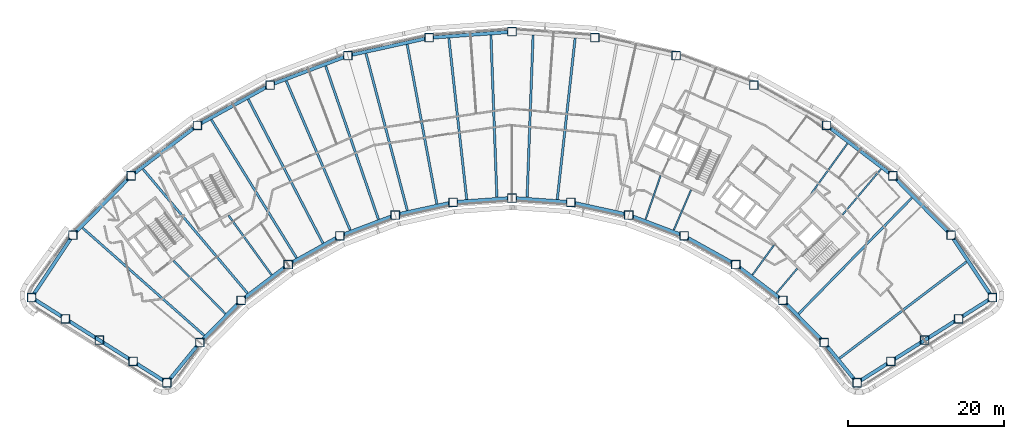
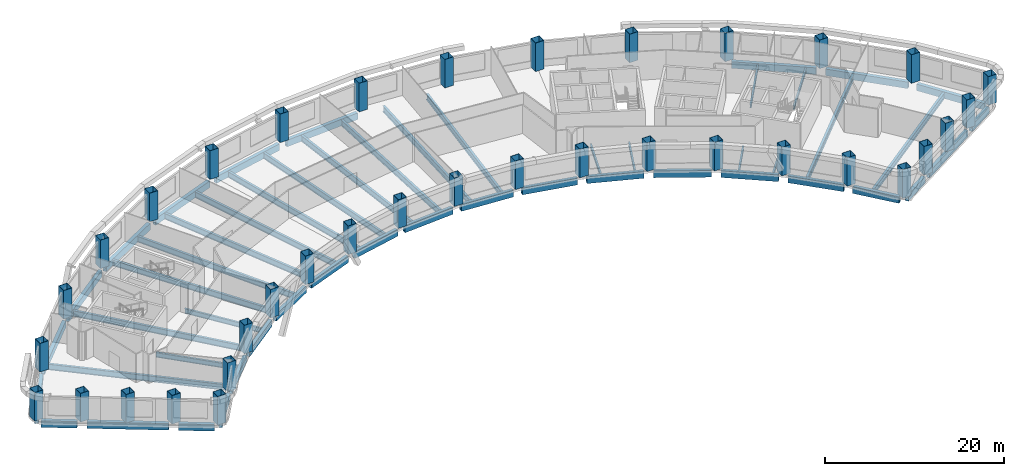
# One storey, part 1 of 13: 52 beams, 36 columns.
"""IFC4 building model written with IfcOpenShell, lengths in metres."""

from ifc_helpers import new_model, si_unit, direction, frame, origin, origin_2d, place, context, subcontext, project, spatial, hollow_rectangle, i_section, extrude, material, material_profile, profile_set, type_object, element, save


model = new_model("IFC4")

# Units and contexts
model_context = context("Model", 3, precision=1e-05, world=origin(), true_north=direction((0.0, 1.0)))
body_context = subcontext(model_context, "Body", "Model", "MODEL_VIEW")
ifc_project = project(units=[si_unit("LENGTHUNIT", "METRE"), si_unit("AREAUNIT", "SQUARE_METRE"), si_unit("VOLUMEUNIT", "CUBIC_METRE"), si_unit("PLANEANGLEUNIT", "RADIAN"), si_unit("MASSUNIT", "GRAM", prefix="KILO")], contexts=[model_context])

# Site, building, storey
site_placement = place(None, origin())
site = spatial("IfcSite", under=ifc_project, at=site_placement, CompositionType="ELEMENT")
building_placement = place(site_placement, origin())
building = spatial("IfcBuilding", under=site, at=building_placement, Name="Tuul Gate Civic Tower", CompositionType="ELEMENT")
storey_placement = place(building_placement, frame((0.0, 0.0, 111.89990234375)))
storey = spatial("IfcBuildingStorey", under=building, at=storey_placement, Name="Level 25", CompositionType="ELEMENT", Elevation=111.89990234375)

# Columns
ifc_material_1 = material(Name="Steel S355", Category="steel")
ifc_material_profile_1 = material_profile(ifc_material_1, hollow_rectangle(XDim=1.10009765625, YDim=1.10009765625, WallThickness=0.035888671875, at=origin_2d()), Name="BOX1100x1100x36")
ifc_profile_set_1 = profile_set([ifc_material_profile_1], Name="Steel S355")
column_type = type_object("IfcColumnType", Name="STR-COLUMN-BOX1100x1100x36", PredefinedType="COLUMN", material=ifc_profile_set_1)
for number, where, z_axis, x_axis, name in (
    (1, (71.5, -20.44189453125, 0.0), (0.0, 0.0, 1.0), (1.0, 0.0, 0.0), "Column"),
    (2, (66.200927734375, -12.428955078125, 0.0), (0.0, 0.0, 1.0), (1.0, 0.0, 0.0), "Column"),
    (3, (58.72607421875, -4.803955078125, 0.0), (0.0, 0.0, 1.0), (1.0, 0.0, 0.0), "Column"),
    (4, (50.23095703125, 1.6640625, 0.0), (0.0, 0.0, 1.0), (1.0, 0.0, 0.0), "Column"),
    (5, (40.89306640625, 6.840087890625, 0.0), (0.0, 0.0, 1.0), (1.0, 0.0, 0.0), "Column"),
    (6, (30.905029296875, 10.616943359375, 0.0), (0.0, 0.0, 1.0), (1.0, 0.0, 0.0), "Column"),
    (7, (20.47802734375, 12.9150390625, 0.0), (0.0, 0.0, 1.0), (1.0, 0.0, 0.0), "Column"),
    (8, (9.8291015625, 13.68603515625, 0.0), (0.0, 0.0, 1.0), (1.0, 0.0, 0.0), "Column"),
    (9, (-0.821044921875, 12.9150390625, 0.0), (0.0, 0.0, 1.0), (1.0, 0.0, 0.0), "Column"),
    (10, (-11.248046875, 10.616943359375, 0.0), (0.0, 0.0, 1.0), (1.0, 0.0, 0.0), "Column"),
    (11, (-21.235107421875, 6.840087890625, 0.0), (0.0, 0.0, 1.0), (1.0, 0.0, 0.0), "Column"),
    (12, (-30.573974609375, 1.6640625, 0.0), (0.0, 0.0, 1.0), (1.0, 0.0, 0.0), "Column"),
    (13, (-39.069091796875, -4.803955078125, 0.0), (0.0, 0.0, 1.0), (1.0, 0.0, 0.0), "Column"),
    (14, (-46.54296875, -12.428955078125, 0.0), (0.0, 0.0, 1.0), (1.0, 0.0, 0.0), "Column"),
    (15, (-51.842041015625, -20.44189453125, 0.0), (0.0, 0.0, 1.0), (1.0, 0.0, 0.0), "Column"),
    (16, (-47.5, -23.176025390625, 0.0), (0.0, 0.0, 1.0), (1.0, 0.0, 0.0), "Column"),
    (17, (-43.156982421875, -25.910888671875, 0.0), (0.0, 0.0, 1.0), (1.0, 0.0, 0.0), "Column"),
    (18, (-38.81494140625, -28.64599609375, 0.0), (0.0, 0.0, 1.0), (1.0, 0.0, 0.0), "Column"),
    (19, (-34.471923828125, -31.3798828125, 0.0), (0.0, 0.0, 1.0), (1.0, 0.0, 0.0), "Column"),
    (20, (-30.251953125, -26.238037109375, 0.0), (0.0, 0.0, 1.0), (1.0, 0.0, 0.0), "Column"),
    (21, (-24.93798828125, -20.81689453125, 0.0), (0.0, 0.0, 1.0), (1.0, 0.0, 0.0), "Column"),
    (22, (-18.89794921875, -16.218017578125, 0.0), (0.0, 0.0, 1.0), (1.0, 0.0, 0.0), "Column"),
    (23, (-12.258056640625, -12.537109375, 0.0), (0.0, 0.0, 1.0), (1.0, 0.0, 0.0), "Column"),
    (24, (-5.156982421875, -9.85205078125, 0.0), (0.0, 0.0, 1.0), (1.0, 0.0, 0.0), "Column"),
    (25, (2.257080078125, -8.218017578125, 0.0), (0.0, 0.0, 1.0), (1.0, 0.0, 0.0), "Column"),
    (26, (9.8291015625, -7.6689453125, 0.0), (0.0, 0.0, 1.0), (1.0, 0.0, 0.0), "Column"),
    (27, (17.40087890625, -8.218017578125, 0.0), (0.0, 0.0, 1.0), (1.0, 0.0, 0.0), "Column"),
    (28, (24.81494140625, -9.85205078125, 0.0), (0.0, 0.0, 1.0), (1.0, 0.0, 0.0), "Column"),
    (29, (31.9150390625, -12.537109375, 0.0), (0.0, 0.0, 1.0), (1.0, 0.0, 0.0), "Column"),
    (30, (38.554931640625, -16.218017578125, 0.0), (0.0, 0.0, 1.0), (1.0, 0.0, 0.0), "Column"),
    (31, (44.595947265625, -20.81689453125, 0.0), (0.0, 0.0, 1.0), (1.0, 0.0, 0.0), "Column"),
    (32, (49.909912109375, -26.238037109375, 0.0), (0.0, 0.0, 1.0), (1.0, 0.0, 0.0), "Column"),
    (33, (54.1298828125, -31.3798828125, 0.0), (0.0, 0.0, 1.0), (1.0, 0.0, 0.0), "Column"),
    (34, (58.471923828125, -28.64599609375, 0.0), (0.0, 0.0, 1.0), (1.0, 0.0, 0.0), "Column"),
    (35, (62.81494140625, -25.910888671875, 0.0), (0.0, 0.0, 1.0), (1.0, 0.0, 0.0), "Column"),
    (36, (67.156982421875, -23.176025390625, 0.0), (0.0, 0.0, 1.0), (1.0, 0.0, 0.0), "Column"),
):
    element("IfcColumn", number, at=place(storey_placement, frame(where, z_axis=z_axis, x_axis=x_axis)), inside=storey, type_object=column_type, Name=name, PredefinedType="COLUMN", context=body_context, shape_type="SweptSolid", body=[
        extrude(hollow_rectangle(XDim=1.10009765625, YDim=1.10009765625, WallThickness=0.035888671875, at=origin_2d()), origin(), (0.0, 0.0, 1.0), 3.900146484375),
    ])

# Beams
ifc_material_2 = material(Name="Steel S355", Category="steel")
ifc_material_profile_2 = material_profile(ifc_material_2, i_section(OverallWidth=0.199951171875, OverallDepth=0.5, WebThickness=0.010009765625, FlangeThickness=0.01611328125, at=origin_2d()), Name="PG500x200x10x16")
ifc_profile_set_2 = profile_set([ifc_material_profile_2], Name="Steel S355")
beam_type_1 = type_object("IfcBeamType", Name="STR-FLOOR BEAM-PG500x200x10x16", PredefinedType="BEAM", material=ifc_profile_set_2)
beam_1_placement = place(storey_placement, frame((43.78662109375, -19.88671875, -0.5498046875), z_axis=(0.644164873832, 0.764886668286, 0.0), x_axis=(-0.764886668286, 0.644164873832, 0.0)))
element("IfcBeam", 37, at=beam_1_placement, inside=storey, type_object=beam_type_1, Name="Floor beam", PredefinedType="BEAM", context=body_context, shape_type="SweptSolid", body=[
    extrude(i_section(OverallWidth=0.199951171875, OverallDepth=0.5, WebThickness=0.010009765625, FlangeThickness=0.01611328125, at=origin_2d()), origin(), (0.0, 0.0, 1.0), 4.129638671875),
])
beam_2_placement = place(storey_placement, frame((52.270263671875, -9.812255859375, -0.5498046875), z_axis=(0.644131817174, 0.764914506402, 0.0), x_axis=(-0.764914506402, 0.644131817174, 0.0)))
element("IfcBeam", 38, at=beam_2_placement, inside=storey, type_object=beam_type_1, Name="Floor beam", PredefinedType="BEAM", context=body_context, shape_type="SweptSolid", body=[
    extrude(i_section(OverallWidth=0.199951171875, OverallDepth=0.5, WebThickness=0.010009765625, FlangeThickness=0.01611328125, at=origin_2d()), origin(), (0.0, 0.0, 1.0), 7.65478515625),
])
beam_3_placement = place(storey_placement, frame((40.6982421875, -17.535400390625, -0.5498046875), z_axis=(0.586092436702, 0.810244195068, 0.0), x_axis=(-0.810244195068, 0.586092436702, 0.0)))
element("IfcBeam", 39, at=beam_3_placement, inside=storey, type_object=beam_type_1, Name="Floor beam", PredefinedType="BEAM", context=body_context, shape_type="SweptSolid", body=[
    extrude(i_section(OverallWidth=0.199951171875, OverallDepth=0.5, WebThickness=0.010009765625, FlangeThickness=0.01611328125, at=origin_2d()), origin(), (0.0, 0.0, 1.0), 4.73779296875),
])
beam_4_placement = place(storey_placement, frame((48.2353515625, -7.11572265625, -0.5498046875), z_axis=(0.586078163081, 0.810254519741, 0.0), x_axis=(-0.810254519741, 0.586078163081, 0.0)))
element("IfcBeam", 40, at=beam_4_placement, inside=storey, type_object=beam_type_1, Name="Floor beam", PredefinedType="BEAM", context=body_context, shape_type="SweptSolid", body=[
    extrude(i_section(OverallWidth=0.199951171875, OverallDepth=0.5, WebThickness=0.010009765625, FlangeThickness=0.01611328125, at=origin_2d()), origin(), (0.0, 0.0, 1.0), 7.94677734375),
])
beam_5_placement = place(storey_placement, frame((30.60546875, -11.7744140625, -0.5498046875), z_axis=(0.394202846621, 0.919023457653, 0.0), x_axis=(-0.919023457653, 0.394202846621, 0.0)))
element("IfcBeam", 41, at=beam_5_placement, inside=storey, type_object=beam_type_1, Name="Floor beam", PredefinedType="BEAM", context=body_context, shape_type="SweptSolid", body=[
    extrude(i_section(OverallWidth=0.199951171875, OverallDepth=0.5, WebThickness=0.010009765625, FlangeThickness=0.01611328125, at=origin_2d()), origin(), (0.0, 0.0, 1.0), 5.611083984375),
])
beam_6_placement = place(storey_placement, frame((26.97509765625, -10.401611328125, -0.5498046875), z_axis=(0.325486996398, 0.945546516664, 0.0), x_axis=(-0.945546516664, 0.325486996398, 0.0)))
element("IfcBeam", 42, at=beam_6_placement, inside=storey, type_object=beam_type_1, Name="Floor beam", PredefinedType="BEAM", context=body_context, shape_type="SweptSolid", body=[
    extrude(i_section(OverallWidth=0.199951171875, OverallDepth=0.5, WebThickness=0.010009765625, FlangeThickness=0.01611328125, at=origin_2d()), origin(), (0.0, 0.0, 1.0), 5.930908203125),
])
ifc_material_3 = material(Name="Steel S355", Category="steel")
ifc_material_profile_3 = material_profile(ifc_material_3, i_section(OverallWidth=0.25, OverallDepth=0.64990234375, WebThickness=0.011962890625, FlangeThickness=0.02001953125, at=origin_2d()), Name="PG650x250x12x20")
ifc_profile_set_3 = profile_set([ifc_material_profile_3], Name="Steel S355")
beam_type_2 = type_object("IfcBeamType", Name="STR-FLOOR BEAM-PG650x250x12x20", PredefinedType="BEAM", material=ifc_profile_set_3)
beam_7_placement = place(storey_placement, frame((-21.040771484375, -17.53515625, -0.625), z_axis=(-0.586071957424, 0.810259008417, 0.0), x_axis=(-0.810259008417, -0.586071957424, 0.0)))
element("IfcBeam", 43, at=beam_7_placement, inside=storey, type_object=beam_type_2, Name="Floor beam", PredefinedType="BEAM", context=body_context, shape_type="SweptSolid", body=[
    extrude(i_section(OverallWidth=0.25, OverallDepth=0.64990234375, WebThickness=0.011962890625, FlangeThickness=0.02001953125, at=origin_2d()), origin(), (0.0, 0.0, 1.0), 9.4111328125),
])
beam_8_placement = place(storey_placement, frame((-26.96923828125, -22.531982421875, -0.625), z_axis=(-0.698693179665, 0.715421442711, 0.0), x_axis=(-0.715421442711, -0.698693179665, 0.0)))
element("IfcBeam", 44, at=beam_8_placement, inside=storey, type_object=beam_type_2, Name="Floor beam", PredefinedType="BEAM", context=body_context, shape_type="SweptSolid", body=[
    extrude(i_section(OverallWidth=0.25, OverallDepth=0.64990234375, WebThickness=0.011962890625, FlangeThickness=0.02001953125, at=origin_2d()), origin(), (0.0, 0.0, 1.0), 9.5302734375),
])
ifc_material_4 = material(Name="Steel S355", Category="steel")
ifc_material_profile_4 = material_profile(ifc_material_4, i_section(OverallWidth=0.300048828125, OverallDepth=0.800048828125, WebThickness=0.013916015625, FlangeThickness=0.02490234375, at=origin_2d()), Name="PG800x300x14x25")
ifc_profile_set_4 = profile_set([ifc_material_profile_4], Name="Steel S355")
beam_type_3 = type_object("IfcBeamType", Name="STR-FLOOR BEAM-PG800x300x14x25", PredefinedType="BEAM", material=ifc_profile_set_4)
beam_9_placement = place(storey_placement, frame((51.8837890625, -28.2490234375, -0.699951171875), z_axis=(0.796146559843, 0.605103838403, 0.0), x_axis=(-0.605103838403, 0.796146559843, 0.0)))
element("IfcBeam", 45, at=beam_9_placement, inside=storey, type_object=beam_type_3, Name="Floor beam", PredefinedType="BEAM", context=body_context, shape_type="SweptSolid", body=[
    extrude(i_section(OverallWidth=0.300048828125, OverallDepth=0.800048828125, WebThickness=0.013916015625, FlangeThickness=0.02490234375, at=origin_2d()), origin(), (0.0, 0.0, 1.0), 20.46240234375),
])
beam_10_placement = place(storey_placement, frame((46.627197265625, -22.531982421875, -0.699951171875), z_axis=(0.698684495675, 0.715429923544, 0.0), x_axis=(-0.715429923544, 0.698684495675, 0.0)))
element("IfcBeam", 46, at=beam_10_placement, inside=storey, type_object=beam_type_3, Name="Floor beam", PredefinedType="BEAM", context=body_context, shape_type="SweptSolid", body=[
    extrude(i_section(OverallWidth=0.300048828125, OverallDepth=0.800048828125, WebThickness=0.013916015625, FlangeThickness=0.02490234375, at=origin_2d()), origin(), (0.0, 0.0, 1.0), 20.804931640625),
])
beam_11_placement = place(storey_placement, frame((15.64013671875, -7.839599609375, -0.699951171875), z_axis=(0.110288630292, 0.993899601584, 0.0), x_axis=(-0.993899601584, 0.110288630292, 0.0)))
element("IfcBeam", 47, at=beam_11_placement, inside=storey, type_object=beam_type_3, Name="Floor beam", PredefinedType="BEAM", context=body_context, shape_type="SweptSolid", body=[
    extrude(i_section(OverallWidth=0.300048828125, OverallDepth=0.800048828125, WebThickness=0.013916015625, FlangeThickness=0.02490234375, at=origin_2d()), origin(), (0.0, 0.0, 1.0), 20.81494140625),
])
for number, where, z_axis, x_axis, name in (
    (48, (11.769287109375, -7.55908203125, -0.699951171875), (0.036833774102, 0.999321406298, 0.0), (-0.999321406298, 0.036833774102, 0.0), "Floor beam"),
    (49, (7.888427734375, -7.55908203125, -0.699951171875), (-0.036822059508, 0.999321838015, 0.0), (-0.999321838015, -0.036822059508, 0.0), "Floor beam"),
):
    element("IfcBeam", number, at=place(storey_placement, frame(where, z_axis=z_axis, x_axis=x_axis)), inside=storey, type_object=beam_type_3, Name=name, PredefinedType="BEAM", context=body_context, shape_type="SweptSolid", body=[
        extrude(i_section(OverallWidth=0.300048828125, OverallDepth=0.800048828125, WebThickness=0.013916015625, FlangeThickness=0.02490234375, at=origin_2d()), origin(), (0.0, 0.0, 1.0), 20.8125),
    ])
beam_12_placement = place(storey_placement, frame((4.017578125, -7.839599609375, -0.699951171875), z_axis=(-0.110277043848, 0.993900887212, 0.0), x_axis=(-0.993900887212, -0.110277043848, 0.0)))
element("IfcBeam", 50, at=beam_12_placement, inside=storey, type_object=beam_type_3, Name="Floor beam", PredefinedType="BEAM", context=body_context, shape_type="SweptSolid", body=[
    extrude(i_section(OverallWidth=0.300048828125, OverallDepth=0.800048828125, WebThickness=0.013916015625, FlangeThickness=0.02490234375, at=origin_2d()), origin(), (0.0, 0.0, 1.0), 20.81494140625),
])
beam_13_placement = place(storey_placement, frame((0.180419921875, -8.419677734375, -0.699951171875), z_axis=(-0.183145230157, 0.983085868412, 0.0), x_axis=(-0.983085868412, -0.183145230157, 0.0)))
element("IfcBeam", 51, at=beam_13_placement, inside=storey, type_object=beam_type_3, Name="Floor beam", PredefinedType="BEAM", context=body_context, shape_type="SweptSolid", body=[
    extrude(i_section(OverallWidth=0.300048828125, OverallDepth=0.800048828125, WebThickness=0.013916015625, FlangeThickness=0.02490234375, at=origin_2d()), origin(), (0.0, 0.0, 1.0), 20.8115234375),
])
beam_14_placement = place(storey_placement, frame((-3.609619140625, -9.2548828125, -0.699951171875), z_axis=(-0.255004720301, 0.96693980817, 0.0), x_axis=(-0.96693980817, -0.255004720301, 0.0)))
element("IfcBeam", 52, at=beam_14_placement, inside=storey, type_object=beam_type_3, Name="Floor beam", PredefinedType="BEAM", context=body_context, shape_type="SweptSolid", body=[
    extrude(i_section(OverallWidth=0.300048828125, OverallDepth=0.800048828125, WebThickness=0.013916015625, FlangeThickness=0.02490234375, at=origin_2d()), origin(), (0.0, 0.0, 1.0), 20.817626953125),
])
beam_15_placement = place(storey_placement, frame((-7.3173828125, -10.401611328125, -0.699951171875), z_axis=(-0.325486974479, 0.945546524209, 0.0), x_axis=(-0.945546524209, -0.325486974479, 0.0)))
element("IfcBeam", 53, at=beam_15_placement, inside=storey, type_object=beam_type_3, Name="Floor beam", PredefinedType="BEAM", context=body_context, shape_type="SweptSolid", body=[
    extrude(i_section(OverallWidth=0.300048828125, OverallDepth=0.800048828125, WebThickness=0.013916015625, FlangeThickness=0.02490234375, at=origin_2d()), origin(), (0.0, 0.0, 1.0), 20.809326171875),
])
beam_16_placement = place(storey_placement, frame((-10.94775390625, -11.774169921875, -0.699951171875), z_axis=(-0.394200920337, 0.919024283904, 0.0), x_axis=(-0.919024283904, -0.394200920337, 0.0)))
element("IfcBeam", 54, at=beam_16_placement, inside=storey, type_object=beam_type_3, Name="Floor beam", PredefinedType="BEAM", context=body_context, shape_type="SweptSolid", body=[
    extrude(i_section(OverallWidth=0.300048828125, OverallDepth=0.800048828125, WebThickness=0.013916015625, FlangeThickness=0.02490234375, at=origin_2d()), origin(), (0.0, 0.0, 1.0), 20.8193359375),
])
beam_17_placement = place(storey_placement, frame((-14.442626953125, -13.462158203125, -0.699951171875), z_axis=(-0.460777059353, 0.887515916237, 0.0), x_axis=(-0.887515916237, -0.460777059353, 0.0)))
element("IfcBeam", 55, at=beam_17_placement, inside=storey, type_object=beam_type_3, Name="Floor beam", PredefinedType="BEAM", context=body_context, shape_type="SweptSolid", body=[
    extrude(i_section(OverallWidth=0.300048828125, OverallDepth=0.800048828125, WebThickness=0.013916015625, FlangeThickness=0.02490234375, at=origin_2d()), origin(), (0.0, 0.0, 1.0), 20.8076171875),
])
beam_18_placement = place(storey_placement, frame((-17.837158203125, -15.343994140625, -0.699951171875), z_axis=(-0.524856706834, 0.851190599861, 0.0), x_axis=(-0.851190599861, -0.524856706834, 0.0)))
element("IfcBeam", 56, at=beam_18_placement, inside=storey, type_object=beam_type_3, Name="Floor beam", PredefinedType="BEAM", context=body_context, shape_type="SweptSolid", body=[
    extrude(i_section(OverallWidth=0.300048828125, OverallDepth=0.800048828125, WebThickness=0.013916015625, FlangeThickness=0.02490234375, at=origin_2d()), origin(), (0.0, 0.0, 1.0), 20.82275390625),
])
beam_19_placement = place(storey_placement, frame((-24.12890625, -19.88671875, -0.699951171875), z_axis=(-0.644132135775, 0.764914238109, 0.0), x_axis=(-0.764914238109, -0.644132135775, 0.0)))
element("IfcBeam", 57, at=beam_19_placement, inside=storey, type_object=beam_type_3, Name="Floor beam", PredefinedType="BEAM", context=body_context, shape_type="SweptSolid", body=[
    extrude(i_section(OverallWidth=0.300048828125, OverallDepth=0.800048828125, WebThickness=0.013916015625, FlangeThickness=0.02490234375, at=origin_2d()), origin(), (0.0, 0.0, 1.0), 20.82568359375),
])
beam_20_placement = place(storey_placement, frame((-29.686767578125, -25.30419921875, -0.699951171875), z_axis=(-0.749447427269, 0.662063859277, 0.0), x_axis=(-0.662063859277, -0.749447427269, 0.0)))
element("IfcBeam", 58, at=beam_20_placement, inside=storey, type_object=beam_type_3, Name="Floor beam", PredefinedType="BEAM", context=body_context, shape_type="SweptSolid", body=[
    extrude(i_section(OverallWidth=0.300048828125, OverallDepth=0.800048828125, WebThickness=0.013916015625, FlangeThickness=0.02490234375, at=origin_2d()), origin(), (0.0, 0.0, 1.0), 20.82861328125),
])
ifc_material_5 = material(Name="Steel S355", Category="steel")
ifc_material_profile_5 = material_profile(ifc_material_5, hollow_rectangle(XDim=0.449951171875, YDim=0.89990234375, WallThickness=0.02490234375, at=origin_2d()), Name="BOX900x450x25")
ifc_profile_set_5 = profile_set([ifc_material_profile_5], Name="Steel S355")
beam_type_4 = type_object("IfcBeamType", Name="STR-SPANDREL BEAM-BOX900x450x25", PredefinedType="BEAM", material=ifc_profile_set_5)
beam_21_placement = place(storey_placement, frame((71.196533203125, -19.983154296875, -0.75), z_axis=(-0.551590080745, 0.83411532945, 0.0), x_axis=(-0.83411532945, -0.551590080745, 0.0)))
element("IfcBeam", 59, at=beam_21_placement, inside=storey, type_object=beam_type_4, Name="Spandrel beam", PredefinedType="BEAM", context=body_context, shape_type="SweptSolid", body=[
    extrude(hollow_rectangle(XDim=0.449951171875, YDim=0.89990234375, WallThickness=0.02490234375, at=origin_2d()), origin(), (0.0, 0.0, 1.0), 8.506591796875),
])
beam_22_placement = place(storey_placement, frame((65.81591796875, -12.0361328125, -0.75), z_axis=(-0.700049238086, 0.714094576548, 0.0), x_axis=(-0.714094576548, -0.700049238086, 0.0)))
element("IfcBeam", 60, at=beam_22_placement, inside=storey, type_object=beam_type_4, Name="Spandrel beam", PredefinedType="BEAM", context=body_context, shape_type="SweptSolid", body=[
    extrude(hollow_rectangle(XDim=0.449951171875, YDim=0.89990234375, WallThickness=0.02490234375, at=origin_2d()), origin(), (0.0, 0.0, 1.0), 9.57763671875),
])
beam_23_placement = place(storey_placement, frame((58.288330078125, -4.470703125, -0.75), z_axis=(-0.795628890165, 0.605784342101, 0.0), x_axis=(-0.605784342101, -0.795628890165, 0.0)))
element("IfcBeam", 61, at=beam_23_placement, inside=storey, type_object=beam_type_4, Name="Spandrel beam", PredefinedType="BEAM", context=body_context, shape_type="SweptSolid", body=[
    extrude(hollow_rectangle(XDim=0.449951171875, YDim=0.89990234375, WallThickness=0.02490234375, at=origin_2d()), origin(), (0.0, 0.0, 1.0), 9.576904296875),
])
beam_24_placement = place(storey_placement, frame((9.280517578125, 13.646240234375, -0.75), z_axis=(-0.997391103387, -0.072187165652, 0.0), x_axis=(0.072187165652, -0.997391103387, 0.0)))
element("IfcBeam", 62, at=beam_24_placement, inside=storey, type_object=beam_type_4, Name="Spandrel beam", PredefinedType="BEAM", context=body_context, shape_type="SweptSolid", body=[
    extrude(hollow_rectangle(XDim=0.449951171875, YDim=0.89990234375, WallThickness=0.02490234375, at=origin_2d()), origin(), (0.0, 0.0, 1.0), 9.577880859375),
])
for number, where, z_axis, x_axis, name in (
    (63, (-1.358154296875, 12.796630859375, -0.75), (-0.976564052188, -0.215226977802, 0.0), (0.215226977802, -0.976564052188, 0.0), "Spandrel beam"),
    (64, (-11.762451171875, 10.42236328125, -0.75), (-0.935349182436, -0.353725750994, 0.0), (0.353725750994, -0.935349182436, 0.0), "Spandrel beam"),
):
    element("IfcBeam", number, at=place(storey_placement, frame(where, z_axis=z_axis, x_axis=x_axis)), inside=storey, type_object=beam_type_4, Name=name, PredefinedType="BEAM", context=body_context, shape_type="SweptSolid", body=[
        extrude(hollow_rectangle(XDim=0.449951171875, YDim=0.89990234375, WallThickness=0.02490234375, at=origin_2d()), origin(), (0.0, 0.0, 1.0), 9.5771484375),
    ])
beam_25_placement = place(storey_placement, frame((-21.716064453125, 6.573486328125, -0.75), z_axis=(-0.874646210848, -0.484761803208, 0.0), x_axis=(0.484761803208, -0.874646210848, 0.0)))
element("IfcBeam", 65, at=beam_25_placement, inside=storey, type_object=beam_type_4, Name="Spandrel beam", PredefinedType="BEAM", context=body_context, shape_type="SweptSolid", body=[
    extrude(hollow_rectangle(XDim=0.449951171875, YDim=0.89990234375, WallThickness=0.02490234375, at=origin_2d()), origin(), (0.0, 0.0, 1.0), 9.57763671875),
])
beam_26_placement = place(storey_placement, frame((-31.011474609375, 1.330810546875, -0.75), z_axis=(-0.795638245076, -0.605772055292, 0.0), x_axis=(0.605772055292, -0.795638245076, 0.0)))
element("IfcBeam", 66, at=beam_26_placement, inside=storey, type_object=beam_type_4, Name="Spandrel beam", PredefinedType="BEAM", context=body_context, shape_type="SweptSolid", body=[
    extrude(hollow_rectangle(XDim=0.449951171875, YDim=0.89990234375, WallThickness=0.02490234375, at=origin_2d()), origin(), (0.0, 0.0, 1.0), 9.5771484375),
])
beam_27_placement = place(storey_placement, frame((-39.4541015625, -5.19677734375, -0.75), z_axis=(-0.699997238657, -0.714145549501, 0.0), x_axis=(0.714145549501, -0.699997238657, 0.0)))
element("IfcBeam", 67, at=beam_27_placement, inside=storey, type_object=beam_type_4, Name="Spandrel beam", PredefinedType="BEAM", context=body_context, shape_type="SweptSolid", body=[
    extrude(hollow_rectangle(XDim=0.449951171875, YDim=0.89990234375, WallThickness=0.02490234375, at=origin_2d()), origin(), (0.0, 0.0, 1.0), 9.576904296875),
])
beam_28_placement = place(storey_placement, frame((-46.846435546875, -12.8876953125, -0.75), z_axis=(-0.551590080745, -0.83411532945, 0.0), x_axis=(0.83411532945, -0.551590080745, 0.0)))
element("IfcBeam", 68, at=beam_28_placement, inside=storey, type_object=beam_type_4, Name="Spandrel beam", PredefinedType="BEAM", context=body_context, shape_type="SweptSolid", body=[
    extrude(hollow_rectangle(XDim=0.449951171875, YDim=0.89990234375, WallThickness=0.02490234375, at=origin_2d()), origin(), (0.0, 0.0, 1.0), 8.506591796875),
])
beam_29_placement = place(storey_placement, frame((-51.37646484375, -20.735107421875, -0.75), z_axis=(0.846210588651, -0.532848608571, 0.0), x_axis=(0.532848608571, 0.846210588651, 0.0)))
element("IfcBeam", 69, at=beam_29_placement, inside=storey, type_object=beam_type_4, Name="Spandrel beam", PredefinedType="BEAM", context=body_context, shape_type="SweptSolid", body=[
    extrude(hollow_rectangle(XDim=0.449951171875, YDim=0.89990234375, WallThickness=0.02490234375, at=origin_2d()), origin(), (0.0, 0.0, 1.0), 4.031005859375),
])
beam_30_placement = place(storey_placement, frame((-47.03466796875, -23.468994140625, -0.75), z_axis=(0.846164320765, -0.53292207898, 0.0), x_axis=(0.53292207898, 0.846164320765, 0.0)))
element("IfcBeam", 70, at=beam_30_placement, inside=storey, type_object=beam_type_4, Name="Spandrel beam", PredefinedType="BEAM", context=body_context, shape_type="SweptSolid", body=[
    extrude(hollow_rectangle(XDim=0.449951171875, YDim=0.89990234375, WallThickness=0.02490234375, at=origin_2d()), origin(), (0.0, 0.0, 1.0), 9.1640625),
])
beam_31_placement = place(storey_placement, frame((-38.349609375, -28.93896484375, -0.75), z_axis=(0.846279351523, -0.532739391435, 0.0), x_axis=(0.532739391435, 0.846279351523, 0.0)))
element("IfcBeam", 71, at=beam_31_placement, inside=storey, type_object=beam_type_4, Name="Spandrel beam", PredefinedType="BEAM", context=body_context, shape_type="SweptSolid", body=[
    extrude(hollow_rectangle(XDim=0.449951171875, YDim=0.89990234375, WallThickness=0.02490234375, at=origin_2d()), origin(), (0.0, 0.0, 1.0), 4.031982421875),
])
beam_32_placement = place(storey_placement, frame((-34.123046875, -30.954833984375, -0.75), z_axis=(0.634400839416, 0.773004252866, 0.0), x_axis=(-0.773004252866, 0.634400839416, 0.0)))
element("IfcBeam", 72, at=beam_32_placement, inside=storey, type_object=beam_type_4, Name="Spandrel beam", PredefinedType="BEAM", context=body_context, shape_type="SweptSolid", body=[
    extrude(hollow_rectangle(XDim=0.449951171875, YDim=0.89990234375, WallThickness=0.02490234375, at=origin_2d()), origin(), (0.0, 0.0, 1.0), 5.552001953125),
])
beam_33_placement = place(storey_placement, frame((-29.866943359375, -25.84521484375, -0.75), z_axis=(0.700019515807, 0.714123713014, 0.0), x_axis=(-0.714123713014, 0.700019515807, 0.0)))
element("IfcBeam", 73, at=beam_33_placement, inside=storey, type_object=beam_type_4, Name="Spandrel beam", PredefinedType="BEAM", context=body_context, shape_type="SweptSolid", body=[
    extrude(hollow_rectangle(XDim=0.449951171875, YDim=0.89990234375, WallThickness=0.02490234375, at=origin_2d()), origin(), (0.0, 0.0, 1.0), 6.4912109375),
])
beam_34_placement = place(storey_placement, frame((-24.50048828125, -20.48388671875, -0.75), z_axis=(0.795614709781, 0.605802965972, 0.0), x_axis=(-0.605802965972, 0.795614709781, 0.0)))
element("IfcBeam", 74, at=beam_34_placement, inside=storey, type_object=beam_type_4, Name="Spandrel beam", PredefinedType="BEAM", context=body_context, shape_type="SweptSolid", body=[
    extrude(hollow_rectangle(XDim=0.449951171875, YDim=0.89990234375, WallThickness=0.02490234375, at=origin_2d()), origin(), (0.0, 0.0, 1.0), 6.49169921875),
])
beam_35_placement = place(storey_placement, frame((-18.4169921875, -15.951416015625, -0.75), z_axis=(0.874596833749, 0.484850882639, 0.0), x_axis=(-0.484850882639, 0.874596833749, 0.0)))
element("IfcBeam", 75, at=beam_35_placement, inside=storey, type_object=beam_type_4, Name="Spandrel beam", PredefinedType="BEAM", context=body_context, shape_type="SweptSolid", body=[
    extrude(hollow_rectangle(XDim=0.449951171875, YDim=0.89990234375, WallThickness=0.02490234375, at=origin_2d()), origin(), (0.0, 0.0, 1.0), 6.4921875),
])
beam_36_placement = place(storey_placement, frame((-11.74365234375, -12.342529296875, -0.75), z_axis=(0.935373699363, 0.353660914635, 0.0), x_axis=(-0.353660914635, 0.935373699363, 0.0)))
element("IfcBeam", 76, at=beam_36_placement, inside=storey, type_object=beam_type_4, Name="Spandrel beam", PredefinedType="BEAM", context=body_context, shape_type="SweptSolid", body=[
    extrude(hollow_rectangle(XDim=0.449951171875, YDim=0.89990234375, WallThickness=0.02490234375, at=origin_2d()), origin(), (0.0, 0.0, 1.0), 6.49169921875),
])
for number, where, z_axis, x_axis, name in (
    (77, (-4.619873046875, -9.733642578125, -0.75), (0.976565169857, 0.215221906465, 0.0), (-0.215221906465, 0.976565169857, 0.0), "Spandrel beam"),
    (78, (2.8056640625, -8.17822265625, -0.75), (0.99738157331, 0.072318719712, 0.0), (-0.072318719712, 0.99738157331, 0.0), "Spandrel beam"),
):
    element("IfcBeam", number, at=place(storey_placement, frame(where, z_axis=z_axis, x_axis=x_axis)), inside=storey, type_object=beam_type_4, Name=name, PredefinedType="BEAM", context=body_context, shape_type="SweptSolid", body=[
        extrude(hollow_rectangle(XDim=0.449951171875, YDim=0.89990234375, WallThickness=0.02490234375, at=origin_2d()), origin(), (0.0, 0.0, 1.0), 6.491943359375),
    ])
beam_37_placement = place(storey_placement, frame((10.37744140625, -7.708740234375, -0.75), z_axis=(0.997381769985, -0.072316007227, 0.0), x_axis=(0.072316007227, 0.997381769985, 0.0)))
element("IfcBeam", 79, at=beam_37_placement, inside=storey, type_object=beam_type_4, Name="Spandrel beam", PredefinedType="BEAM", context=body_context, shape_type="SweptSolid", body=[
    extrude(hollow_rectangle(XDim=0.449951171875, YDim=0.89990234375, WallThickness=0.02490234375, at=origin_2d()), origin(), (0.0, 0.0, 1.0), 6.4921875),
])
beam_38_placement = place(storey_placement, frame((17.93798828125, -8.33642578125, -0.75), z_axis=(0.976565169857, -0.215221906465, 0.0), x_axis=(0.215221906465, 0.976565169857, 0.0)))
element("IfcBeam", 80, at=beam_38_placement, inside=storey, type_object=beam_type_4, Name="Spandrel beam", PredefinedType="BEAM", context=body_context, shape_type="SweptSolid", body=[
    extrude(hollow_rectangle(XDim=0.449951171875, YDim=0.89990234375, WallThickness=0.02490234375, at=origin_2d()), origin(), (0.0, 0.0, 1.0), 6.491943359375),
])
beam_39_placement = place(storey_placement, frame((25.329345703125, -10.046630859375, -0.75), z_axis=(0.935354880203, -0.353710684149, 0.0), x_axis=(0.353710684149, 0.935354880203, 0.0)))
element("IfcBeam", 81, at=beam_39_placement, inside=storey, type_object=beam_type_4, Name="Spandrel beam", PredefinedType="BEAM", context=body_context, shape_type="SweptSolid", body=[
    extrude(hollow_rectangle(XDim=0.449951171875, YDim=0.89990234375, WallThickness=0.02490234375, at=origin_2d()), origin(), (0.0, 0.0, 1.0), 6.490966796875),
])
beam_40_placement = place(storey_placement, frame((32.39599609375, -12.8037109375, -0.75), z_axis=(0.874596833749, -0.484850882639, 0.0), x_axis=(0.484850882639, 0.874596833749, 0.0)))
element("IfcBeam", 82, at=beam_40_placement, inside=storey, type_object=beam_type_4, Name="Spandrel beam", PredefinedType="BEAM", context=body_context, shape_type="SweptSolid", body=[
    extrude(hollow_rectangle(XDim=0.449951171875, YDim=0.89990234375, WallThickness=0.02490234375, at=origin_2d()), origin(), (0.0, 0.0, 1.0), 6.4921875),
])
beam_41_placement = place(storey_placement, frame((38.99267578125, -16.55126953125, -0.75), z_axis=(0.79566990921, -0.605730464462, 0.0), x_axis=(0.605730464462, 0.79566990921, 0.0)))
element("IfcBeam", 83, at=beam_41_placement, inside=storey, type_object=beam_type_4, Name="Spandrel beam", PredefinedType="BEAM", context=body_context, shape_type="SweptSolid", body=[
    extrude(hollow_rectangle(XDim=0.449951171875, YDim=0.89990234375, WallThickness=0.02490234375, at=origin_2d()), origin(), (0.0, 0.0, 1.0), 6.492431640625),
])
beam_42_placement = place(storey_placement, frame((44.98095703125, -21.209716796875, -0.75), z_axis=(0.700019515807, -0.714123713014, 0.0), x_axis=(0.714123713014, 0.700019515807, 0.0)))
element("IfcBeam", 84, at=beam_42_placement, inside=storey, type_object=beam_type_4, Name="Spandrel beam", PredefinedType="BEAM", context=body_context, shape_type="SweptSolid", body=[
    extrude(hollow_rectangle(XDim=0.449951171875, YDim=0.89990234375, WallThickness=0.02490234375, at=origin_2d()), origin(), (0.0, 0.0, 1.0), 6.4912109375),
])
beam_43_placement = place(storey_placement, frame((50.259033203125, -26.6630859375, -0.75), z_axis=(0.634374562786, -0.773025817221, 0.0), x_axis=(0.773025817221, 0.634374562786, 0.0)))
element("IfcBeam", 85, at=beam_43_placement, inside=storey, type_object=beam_type_4, Name="Spandrel beam", PredefinedType="BEAM", context=body_context, shape_type="SweptSolid", body=[
    extrude(hollow_rectangle(XDim=0.449951171875, YDim=0.89990234375, WallThickness=0.02490234375, at=origin_2d()), origin(), (0.0, 0.0, 1.0), 5.552001953125),
])
beam_44_placement = place(storey_placement, frame((54.595458984375, -31.0869140625, -0.75), z_axis=(0.846210588651, 0.532848608571, 0.0), x_axis=(-0.532848608571, 0.846210588651, 0.0)))
element("IfcBeam", 86, at=beam_44_placement, inside=storey, type_object=beam_type_4, Name="Spandrel beam", PredefinedType="BEAM", context=body_context, shape_type="SweptSolid", body=[
    extrude(hollow_rectangle(XDim=0.449951171875, YDim=0.89990234375, WallThickness=0.02490234375, at=origin_2d()), origin(), (0.0, 0.0, 1.0), 4.031005859375),
])
beam_45_placement = place(storey_placement, frame((58.9375, -28.352783203125, -0.75), z_axis=(0.84615675437, 0.53293409258, 0.0), x_axis=(-0.53293409258, 0.84615675437, 0.0)))
element("IfcBeam", 87, at=beam_45_placement, inside=storey, type_object=beam_type_4, Name="Spandrel beam", PredefinedType="BEAM", context=body_context, shape_type="SweptSolid", body=[
    extrude(hollow_rectangle(XDim=0.449951171875, YDim=0.89990234375, WallThickness=0.02490234375, at=origin_2d()), origin(), (0.0, 0.0, 1.0), 9.1640625),
])
beam_46_placement = place(storey_placement, frame((67.62255859375, -22.883056640625, -0.75), z_axis=(0.846279351523, 0.532739391435, 0.0), x_axis=(-0.532739391435, 0.846279351523, 0.0)))
element("IfcBeam", 88, at=beam_46_placement, inside=storey, type_object=beam_type_4, Name="Spandrel beam", PredefinedType="BEAM", context=body_context, shape_type="SweptSolid", body=[
    extrude(hollow_rectangle(XDim=0.449951171875, YDim=0.89990234375, WallThickness=0.02490234375, at=origin_2d()), origin(), (0.0, 0.0, 1.0), 4.031982421875),
])

save(model, "model.ifc")
